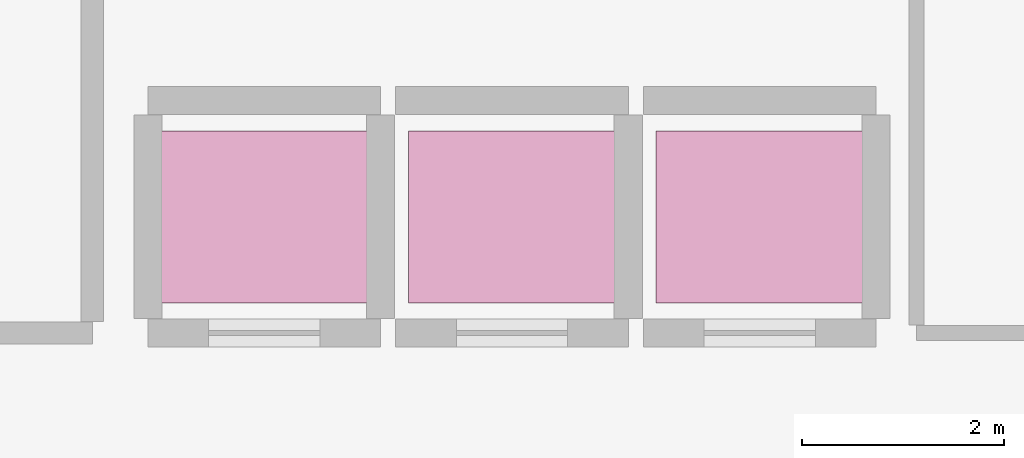
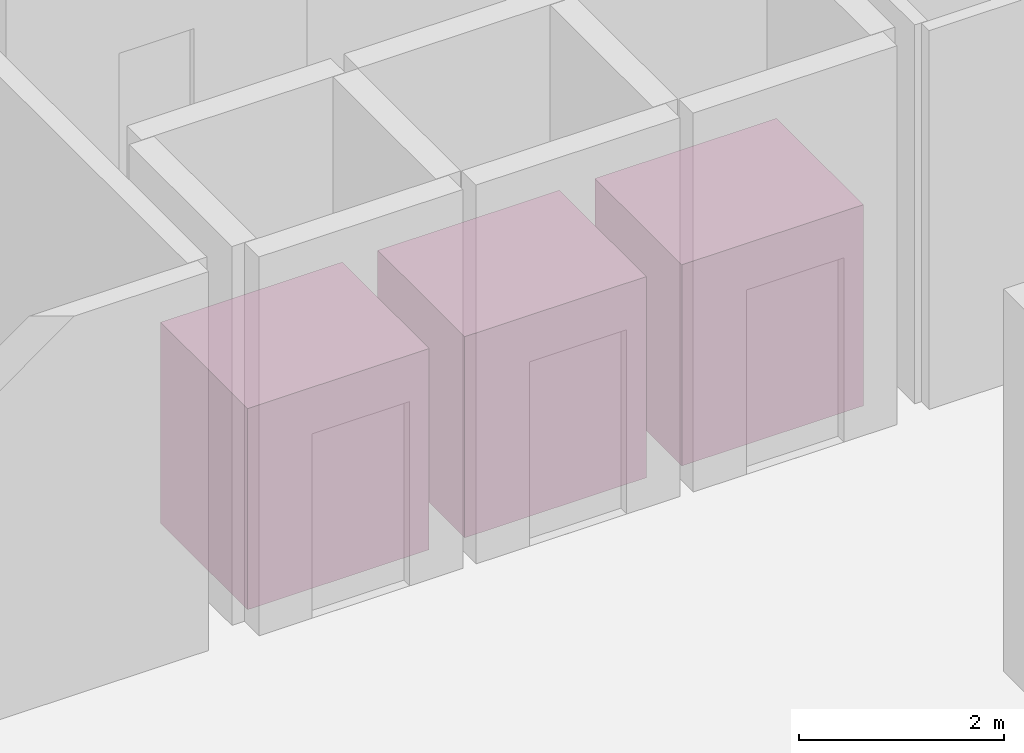
# One storey, part 37 of 37: 3 transport elements.
"""IFC4 building model written with IfcOpenShell, lengths in metres."""

from ifc_helpers import new_model, si_unit, direction, frame, origin, origin_2d, place, context, subcontext, project, spatial, rectangle, extrude, material, type_object, element, save


model = new_model("IFC4")

# Units and contexts
model_context = context("Model", 3, precision=1e-05, world=origin(), true_north=direction((0.0, 1.0)))
body_context = subcontext(model_context, "Body", "Model", "MODEL_VIEW")
ifc_project = project(units=[si_unit("LENGTHUNIT", "METRE"), si_unit("AREAUNIT", "SQUARE_METRE"), si_unit("VOLUMEUNIT", "CUBIC_METRE"), si_unit("PLANEANGLEUNIT", "RADIAN"), si_unit("MASSUNIT", "GRAM", prefix="KILO")], contexts=[model_context])

# Site, building, storey
site_placement = place(None, origin())
site = spatial("IfcSite", under=ifc_project, at=site_placement, CompositionType="ELEMENT")
building_placement = place(site_placement, origin())
building = spatial("IfcBuilding", under=site, at=building_placement, Name="Kaelvorn Grand Hotel", CompositionType="ELEMENT")
storey_placement = place(building_placement, frame((0.0, 0.0, 224.35009765625)))
storey = spatial("IfcBuildingStorey", under=building, at=storey_placement, Name="L55", CompositionType="ELEMENT", Elevation=224.35009765625)

# Transport elements
ifc_material = material(Name="Stainless Steel Cab", Category="steel")
transport_element_type = type_object("IfcTransportElementType", Name="LFT-HOTEL-1600KG", PredefinedType="ELEVATOR", material=ifc_material)
for number, where, z_axis, x_axis, name in (
    (1, (25.14990234375, 35.449951171875, 0.0), (0.0, 0.0, 1.0), (1.0, 0.0, 0.0), "High-Rise Passenger Lift PL-H1"),
    (2, (27.60009765625, 35.449951171875, 0.0), (0.0, 0.0, 1.0), (1.0, 0.0, 0.0), "High-Rise Passenger Lift PL-H2"),
    (3, (30.050048828125, 35.449951171875, 0.0), (0.0, 0.0, 1.0), (1.0, 0.0, 0.0), "High-Rise Passenger Lift PL-H3"),
):
    element("IfcTransportElement", number, at=place(storey_placement, frame(where, z_axis=z_axis, x_axis=x_axis)), inside=storey, type_object=transport_element_type, Name=name, PredefinedType="ELEVATOR", context=body_context, shape_type="SweptSolid", body=[
        extrude(rectangle(XDim=2.050048828125, YDim=1.699951171875, at=origin_2d()), origin(), (0.0, 0.0, 1.0), 2.39990234375),
    ])

save(model, "model.ifc")
